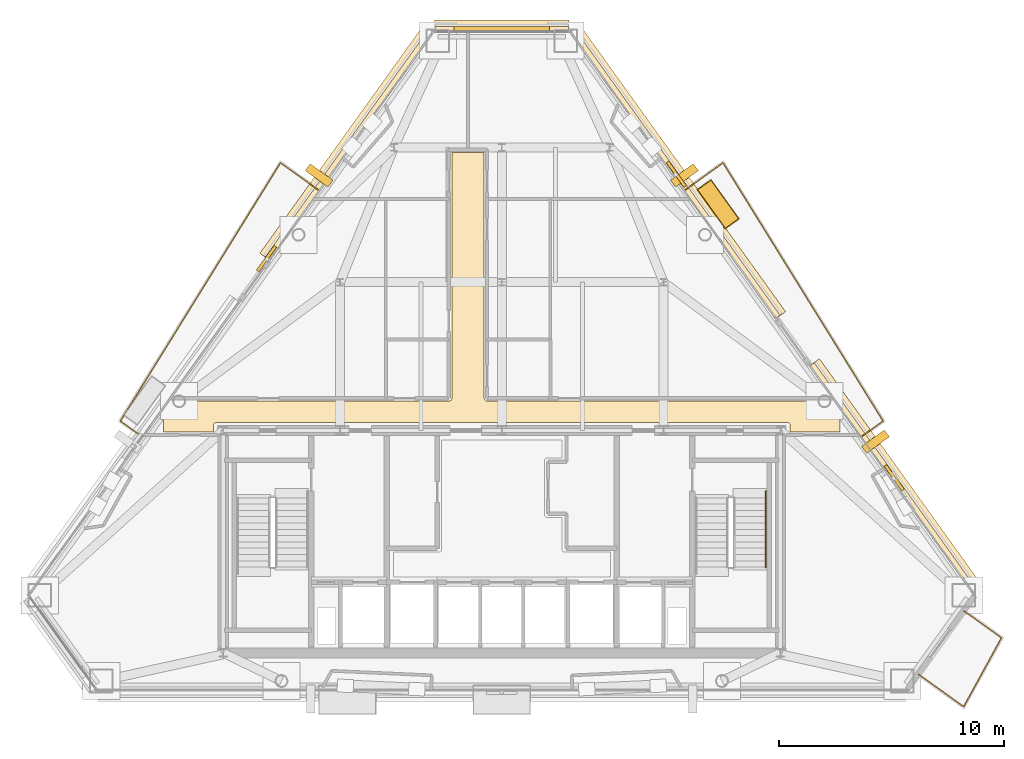
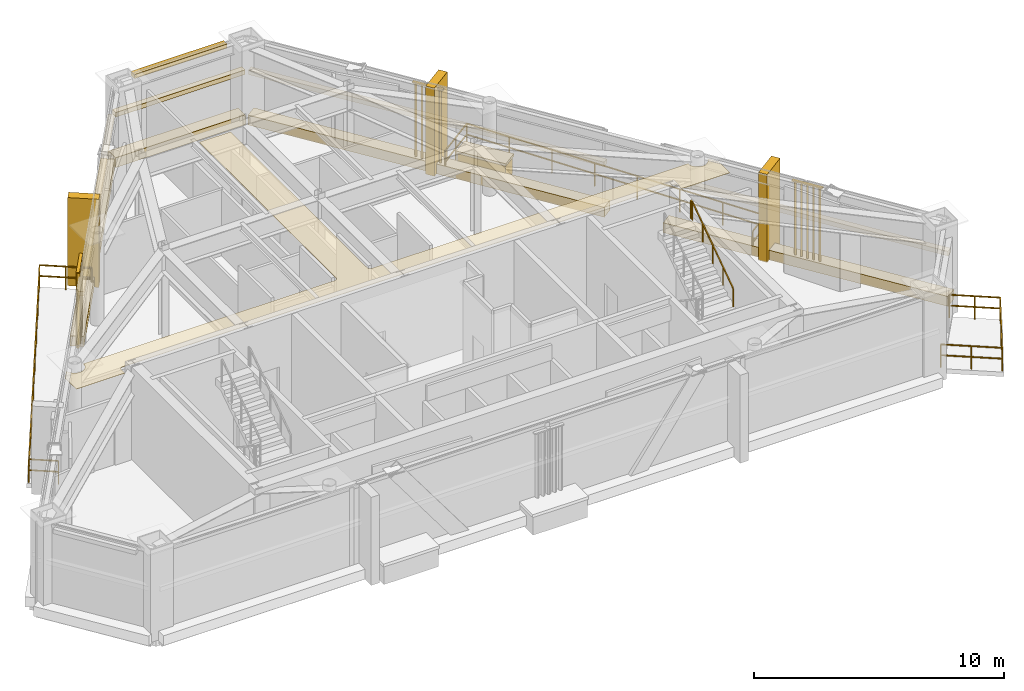
# One storey, part 11 of 11: 14 coverings, 4 railings, 4 shading devices.
"""IFC4 building model written with IfcOpenShell, lengths in metres."""

from ifc_helpers import new_model, si_unit, direction, frame, origin, origin_2d, place, context, subcontext, project, spatial, polyline, rectangle, outline, extrude, source, transform, mapped, material, layer, layer_set, type_object, type_shapes, element, save


model = new_model("IFC4")

# Units and contexts
model_context = context("Model", 3, precision=1e-05, world=origin(), true_north=direction((0.0, 1.0)))
body_context = subcontext(model_context, "Body", "Model", "MODEL_VIEW")
ifc_project = project(units=[si_unit("LENGTHUNIT", "METRE"), si_unit("AREAUNIT", "SQUARE_METRE"), si_unit("VOLUMEUNIT", "CUBIC_METRE"), si_unit("PLANEANGLEUNIT", "RADIAN"), si_unit("MASSUNIT", "GRAM", prefix="KILO")], contexts=[model_context])

# Site, building, storey
site_placement = place(None, origin())
site = spatial("IfcSite", under=ifc_project, at=site_placement, CompositionType="ELEMENT")
building_placement = place(site_placement, origin())
building = spatial("IfcBuilding", under=site, at=building_placement, Name="Talgorran Terracotta Tower", CompositionType="ELEMENT")
storey_placement = place(building_placement, frame((0.0, 0.0, 228.89990234375)))
storey = spatial("IfcBuildingStorey", under=building, at=storey_placement, Name="L60", CompositionType="ELEMENT", Elevation=228.89990234375)

# Coverings
ifc_material_1 = material(Name="Kiln-Fired Terracotta Ochre Ceramic", Category="masonry")
ifc_layer_1 = layer(ifc_material_1, 0.179931640625, Name="COV_BAGUETTE_TERRACOTTA_SCREEN")
ifc_layer_set_1 = layer_set([ifc_layer_1], Name="Kiln-Fired Terracotta Ochre Ceramic")
covering_type_1 = type_object("IfcCoveringType", Name="COV_BAGUETTE_TERRACOTTA_SCREEN", PredefinedType="CLADDING", material=ifc_layer_set_1)
covering_1_placement = place(storey_placement, frame((17.439453125, -6.3251953125, 2.41015625), z_axis=(0.0, 0.0, 1.0), x_axis=(-0.583115925445, 0.812388957023, 0.0)))
element("IfcCovering", 1, at=covering_1_placement, inside=storey, type_object=covering_type_1, Name="L60 Terracotta Baguette Solar Screen Assembly F40", PredefinedType="CLADDING", context=body_context, shape_type="SweptSolid", body=[
    extrude(rectangle(XDim=12.473388671875, YDim=0.260009765625, at=origin_2d()), origin(), (0.0, 0.0, 1.0), 0.219970703125),
])
covering_2_placement = place(storey_placement, frame((7.740234375, 7.187744140625, 2.41015625), z_axis=(0.0, 0.0, 1.0), x_axis=(-0.583115925445, 0.812388957023, 0.0)))
element("IfcCovering", 2, at=covering_2_placement, inside=storey, type_object=covering_type_1, Name="L60 Terracotta Baguette Solar Screen Assembly F41", PredefinedType="CLADDING", context=body_context, shape_type="SweptSolid", body=[
    extrude(rectangle(XDim=15.593994140625, YDim=0.260009765625, at=origin_2d()), origin(), (0.0, 0.0, 1.0), 0.219970703125),
])
covering_3_placement = place(storey_placement, frame((0.0, 13.653076171875, 2.41015625), z_axis=(0.0, 0.0, 1.0), x_axis=(-1.0, 0.0, 0.0)))
element("IfcCovering", 3, at=covering_3_placement, inside=storey, type_object=covering_type_1, Name="L60 Terracotta Baguette Solar Screen Assembly F4", PredefinedType="CLADDING", context=body_context, shape_type="SweptSolid", body=[
    extrude(rectangle(XDim=5.95654296875, YDim=0.260009765625, at=origin_2d()), origin(), (0.0, 0.0, 1.0), 0.219970703125),
])
covering_4_placement = place(storey_placement, frame((-6.808837890625, 8.485107421875, 2.41015625), z_axis=(0.0, 0.0, 1.0), x_axis=(-0.583115925445, -0.812388957023, 0.0)))
element("IfcCovering", 4, at=covering_4_placement, inside=storey, type_object=covering_type_1, Name="L60 Terracotta Baguette Solar Screen Assembly F60", PredefinedType="CLADDING", context=body_context, shape_type="SweptSolid", body=[
    extrude(rectangle(XDim=12.39990234375, YDim=0.260009765625, at=origin_2d()), origin(), (0.0, 0.0, 1.0), 0.219970703125),
])
ifc_material_2 = material(Name="Mineral Fibre Acoustic Tile")
ifc_layer_2 = layer(ifc_material_2, 0.02490234375, Name="COV_CEIL_ACOUSTIC")
ifc_layer_set_2 = layer_set([ifc_layer_2], Name="Mineral Fibre Acoustic Tile")
covering_type_2 = type_object("IfcCoveringType", Name="COV_CEIL_ACOUSTIC", PredefinedType="CEILING", material=ifc_layer_set_2)
covering_5_placement = place(storey_placement, frame((0.0, 0.0, 4.155029296875)))
element("IfcCovering", 5, at=covering_5_placement, inside=storey, type_object=covering_type_2, Name="CEIL-L60-2", PredefinedType="CEILING", context=body_context, shape_type="SweptSolid", body=[
    extrude(outline(polyline([(-14.77685546875, -2.96728515625), (-14.762939453125, -3.037353515625), (-14.760009765625, -3.048583984375), (-14.756103515625, -3.059814453125), (-14.7509765625, -3.0703125), (-14.7451171875, -3.08056640625), (-14.678955078125, -3.179443359375), (-14.671875, -3.18896484375), (-14.6640625, -3.19775390625), (-14.6552734375, -3.205810546875), (-14.645751953125, -3.212646484375), (-14.546630859375, -3.27880859375), (-14.53662109375, -3.284912109375), (-14.52587890625, -3.289794921875), (-14.514892578125, -3.293701171875), (-14.50341796875, -3.296630859375), (-14.38671875, -3.31982421875), (-14.375244140625, -3.321533203125), (-14.36328125, -3.322265625), (-14.3515625, -3.321533203125), (-14.340087890625, -3.31982421875), (-14.223388671875, -3.296630859375), (-14.2119140625, -3.293701171875), (-14.20068359375, -3.289794921875), (-14.190185546875, -3.284912109375), (-14.18017578125, -3.27880859375), (-14.0810546875, -3.212646484375), (-14.071533203125, -3.205810546875), (-14.062744140625, -3.19775390625), (-14.054931640625, -3.18896484375), (-14.0478515625, -3.179443359375), (-13.981689453125, -3.08056640625), (-13.975830078125, -3.0703125), (-13.970703125, -3.059814453125), (-13.966796875, -3.048583984375), (-13.9638671875, -3.037353515625), (-13.940673828125, -2.920654296875), (-13.93896484375, -2.908935546875), (-13.9384765625, -2.897216796875), (-13.93896484375, -2.885498046875), (-13.93896484375, -2.885009765625), (-2.35009765625, -2.885009765625), (-2.33837890625, -2.884521484375), (-2.32666015625, -2.8828125), (-2.3154296875, -2.8798828125), (-2.30712890625, -2.87744140625), (-2.2958984375, -2.87353515625), (-2.285400390625, -2.868408203125), (-2.275146484375, -2.8623046875), (-2.265625, -2.85546875), (-2.257080078125, -2.847412109375), (-2.2490234375, -2.8388671875), (-2.243408203125, -2.83203125), (-2.236328125, -2.822509765625), (-2.230224609375, -2.8125), (-2.225341796875, -2.8017578125), (-2.22119140625, -2.79052734375), (-2.218505859375, -2.779296875), (-2.216796875, -2.767578125), (-2.216064453125, -2.755615234375), (-2.215087890625, 8.1650390625), (-0.784912109375, 8.1650390625), (-0.784912109375, -2.75), (-0.784423828125, -2.76171875), (-0.78271484375, -2.773193359375), (-0.77978515625, -2.78466796875), (-0.77734375, -2.79296875), (-0.7734375, -2.803955078125), (-0.768310546875, -2.814697265625), (-0.762451171875, -2.82470703125), (-0.75537109375, -2.834228515625), (-0.74755859375, -2.843017578125), (-0.73876953125, -2.850830078125), (-0.73193359375, -2.8564453125), (-0.722412109375, -2.863525390625), (-0.71240234375, -2.86962890625), (-0.70166015625, -2.874755859375), (-0.690673828125, -2.878662109375), (-0.67919921875, -2.881591796875), (-0.66748046875, -2.88330078125), (-0.65576171875, -2.8837890625), (13.93896484375, -2.885009765625), (13.93896484375, -2.885498046875), (13.9384765625, -2.897216796875), (13.93896484375, -2.908935546875), (13.940673828125, -2.920654296875), (13.9638671875, -3.037353515625), (13.966796875, -3.048583984375), (13.970703125, -3.059814453125), (13.975830078125, -3.0703125), (13.981689453125, -3.08056640625), (14.0478515625, -3.179443359375), (14.054931640625, -3.18896484375), (14.062744140625, -3.19775390625), (14.071533203125, -3.205810546875), (14.0810546875, -3.212646484375), (14.18017578125, -3.27880859375), (14.190185546875, -3.284912109375), (14.20068359375, -3.289794921875), (14.2119140625, -3.293701171875), (14.223388671875, -3.296630859375), (14.340087890625, -3.31982421875), (14.3515625, -3.321533203125), (14.36328125, -3.322265625), (14.375244140625, -3.321533203125), (14.38671875, -3.31982421875), (14.50341796875, -3.296630859375), (14.514892578125, -3.293701171875), (14.52587890625, -3.289794921875), (14.53662109375, -3.284912109375), (14.546630859375, -3.27880859375), (14.645751953125, -3.212646484375), (14.6552734375, -3.205810546875), (14.6640625, -3.19775390625), (14.671875, -3.18896484375), (14.678955078125, -3.179443359375), (14.7451171875, -3.08056640625), (14.7509765625, -3.0703125), (14.756103515625, -3.059814453125), (14.760009765625, -3.048583984375), (14.762939453125, -3.037353515625), (14.77685546875, -2.96728515625), (15.06494140625, -3.36865234375), (15.06494140625, -4.264892578125), (12.8349609375, -4.264892578125), (12.8349609375, -3.97998046875), (12.83447265625, -3.96826171875), (12.832763671875, -3.956787109375), (12.829833984375, -3.9453125), (12.827392578125, -3.93701171875), (12.823486328125, -3.926025390625), (12.818359375, -3.915283203125), (12.8125, -3.9052734375), (12.805419921875, -3.895751953125), (12.797607421875, -3.886962890625), (12.788818359375, -3.879150390625), (12.781982421875, -3.87353515625), (12.7724609375, -3.866455078125), (12.762451171875, -3.8603515625), (12.751708984375, -3.855224609375), (12.740478515625, -3.851318359375), (12.729248046875, -3.848388671875), (12.717529296875, -3.8466796875), (12.705810546875, -3.84619140625), (7.432861328125, -3.844970703125), (6.968017578125, -3.843017578125), (6.967529296875, -3.843017578125), (0.232666015625, -3.844970703125), (-0.23193359375, -3.843017578125), (-0.232421875, -3.843017578125), (-6.96728515625, -3.844970703125), (-7.431884765625, -3.843017578125), (-7.4326171875, -3.843017578125), (-12.699951171875, -3.844970703125), (-12.711669921875, -3.845703125), (-12.723388671875, -3.847412109375), (-12.734619140625, -3.85009765625), (-12.742919921875, -3.8525390625), (-12.75390625, -3.8564453125), (-12.7646484375, -3.861572265625), (-12.77490234375, -3.86767578125), (-12.7841796875, -3.87451171875), (-12.79296875, -3.882568359375), (-12.80078125, -3.89111328125), (-12.806396484375, -3.89794921875), (-12.813720703125, -3.907470703125), (-12.819580078125, -3.91748046875), (-12.82470703125, -3.927978515625), (-12.82861328125, -3.939208984375), (-12.83154296875, -3.95068359375), (-12.833251953125, -3.962158203125), (-12.833984375, -3.97412109375), (-12.834716796875, -4.264892578125), (-15.06494140625, -4.264892578125), (-15.06494140625, -3.36865234375), (-14.77685546875, -2.96728515625)])), origin(), (0.0, 0.0, 1.0), 0.02001953125),
])
ifc_material_3 = material(Name="Honed Limestone and Terracotta Planter", Category="masonry")
ifc_layer_3 = layer(ifc_material_3, 0.1201171875, Name="COV_PLANTER_BOX")
ifc_layer_set_3 = layer_set([ifc_layer_3], Name="Honed Limestone and Terracotta Planter")
covering_type_3 = type_object("IfcCoveringType", Name="COV_PLANTER_BOX", PredefinedType="CLADDING", material=ifc_layer_set_3)
covering_6_placement = place(storey_placement, frame((9.6318359375, 5.872802734375, -0.02001953125), z_axis=(0.0, 0.0, 1.0), x_axis=(-0.583115925445, 0.812388957023, 0.0)))
element("IfcCovering", 6, at=covering_6_placement, inside=storey, type_object=covering_type_3, Name="L60 Staggered Balcony Planter Box BAL-NE", PredefinedType="CLADDING", context=body_context, shape_type="SweptSolid", body=[
    extrude(rectangle(XDim=2.10009765625, YDim=0.719970703125, at=origin_2d()), origin(), (0.0, 0.0, 1.0), 0.860107421875),
])
ifc_material_4 = material(Name="Kiln-Fired Terracotta Planter Rim", Category="masonry")
ifc_layer_4 = layer(ifc_material_4, 0.10009765625, Name="COV_PLANTER_RIM")
ifc_layer_set_4 = layer_set([ifc_layer_4], Name="Kiln-Fired Terracotta Planter Rim")
covering_type_4 = type_object("IfcCoveringType", Name="COV_PLANTER_RIM", PredefinedType="CLADDING", material=ifc_layer_set_4)
covering_7_placement = place(storey_placement, frame((9.6318359375, 5.872802734375, 0.800048828125), z_axis=(0.0, 0.0, 1.0), x_axis=(-0.583115925445, 0.812388957023, 0.0)))
element("IfcCovering", 7, at=covering_7_placement, inside=storey, type_object=covering_type_4, Name="L60 Balcony Planter Terracotta Rim BAL-NE", PredefinedType="CLADDING", context=body_context, shape_type="SweptSolid", body=[
    extrude(rectangle(XDim=2.179931640625, YDim=0.780029296875, at=origin_2d()), origin(), (0.0, 0.0, 1.0), 0.1201171875),
])
ifc_material_5 = material(Name="Honed Limestone Cladding", Category="masonry")
ifc_layer_5 = layer(ifc_material_5, 0.094970703125, Name="COV_PORTAL_LIME")
ifc_layer_set_5 = layer_set([ifc_layer_5], Name="Honed Limestone Cladding")
covering_type_5 = type_object("IfcCoveringType", Name="COV_PORTAL_LIME", PredefinedType="CLADDING", material=ifc_layer_set_5)
covering_8_placement = place(storey_placement, frame((17.55322265625, -6.24365234375, -0.039794921875), z_axis=(0.0, 0.0, 1.0), x_axis=(-0.583115925445, 0.812388957023, 0.0)))
element("IfcCovering", 8, at=covering_8_placement, inside=storey, type_object=covering_type_5, Name="L60 Striped Postmodern Portal Cladding Band F40", PredefinedType="CLADDING", context=body_context, shape_type="SweptSolid", body=[
    extrude(rectangle(XDim=12.493408203125, YDim=0.56005859375, at=origin_2d()), origin(), (0.0, 0.0, 1.0), 0.47998046875),
])
covering_9_placement = place(storey_placement, frame((7.85400390625, 7.269287109375, -0.039794921875), z_axis=(0.0, 0.0, 1.0), x_axis=(-0.583115925445, 0.812388957023, 0.0)))
element("IfcCovering", 9, at=covering_9_placement, inside=storey, type_object=covering_type_5, Name="L60 Striped Postmodern Portal Cladding Band F41", PredefinedType="CLADDING", context=body_context, shape_type="SweptSolid", body=[
    extrude(rectangle(XDim=15.614013671875, YDim=0.56005859375, at=origin_2d()), origin(), (0.0, 0.0, 1.0), 0.47998046875),
])
covering_10_placement = place(storey_placement, frame((0.0, 13.79296875, -0.039794921875), z_axis=(0.0, 0.0, 1.0), x_axis=(-1.0, 0.0, 0.0)))
element("IfcCovering", 10, at=covering_10_placement, inside=storey, type_object=covering_type_5, Name="L60 Striped Postmodern Portal Cladding Band F4", PredefinedType="CLADDING", context=body_context, shape_type="SweptSolid", body=[
    extrude(rectangle(XDim=5.9765625, YDim=0.56005859375, at=origin_2d()), origin(), (0.0, 0.0, 1.0), 0.47998046875),
])
covering_11_placement = place(storey_placement, frame((-6.922607421875, 8.56689453125, -0.039794921875), z_axis=(0.0, 0.0, 1.0), x_axis=(-0.583115925445, -0.812388957023, 0.0)))
element("IfcCovering", 11, at=covering_11_placement, inside=storey, type_object=covering_type_5, Name="L60 Striped Postmodern Portal Cladding Band F60", PredefinedType="CLADDING", context=body_context, shape_type="SweptSolid", body=[
    extrude(rectangle(XDim=12.419921875, YDim=0.56005859375, at=origin_2d()), origin(), (0.0, 0.0, 1.0), 0.47998046875),
])
covering_12_placement = place(storey_placement, frame((8.133056640625, 7.15478515625, -0.0498046875), z_axis=(0.0, 0.0, 1.0), x_axis=(-0.583115925445, 0.812388957023, 0.0)))
element("IfcCovering", 12, at=covering_12_placement, inside=storey, type_object=covering_type_5, Name="L60 White Striped Portal Fin F3-2", PredefinedType="CLADDING", context=body_context, shape_type="SweptSolid", body=[
    extrude(rectangle(XDim=0.3798828125, YDim=1.25, at=origin_2d()), origin(), (0.0, 0.0, 1.0), 4.294921875),
])
ifc_material_6 = material(Name="Kiln-Fired Terracotta Cladding", Category="masonry")
ifc_layer_6 = layer(ifc_material_6, 0.090087890625, Name="COV_PORTAL_TERRA")
ifc_layer_set_6 = layer_set([ifc_layer_6], Name="Kiln-Fired Terracotta Cladding")
covering_type_6 = type_object("IfcCoveringType", Name="COV_PORTAL_TERRA", PredefinedType="CLADDING", material=ifc_layer_set_6)
for number, where, z_axis, x_axis, name in (
    (13, (16.638671875, -4.695068359375, -0.0498046875), (0.0, 0.0, 1.0), (-0.583115925445, 0.812388957023, 0.0), "L60 Terracotta Striped Portal Fin F3-1"),
    (14, (-8.133056640625, 7.15478515625, -0.0498046875), (0.0, 0.0, 1.0), (-0.583115925445, -0.812388957023, 0.0), "L60 Terracotta Striped Portal Fin F5-1"),
):
    element("IfcCovering", number, at=place(storey_placement, frame(where, z_axis=z_axis, x_axis=x_axis)), inside=storey, type_object=covering_type_6, Name=name, PredefinedType="CLADDING", context=body_context, shape_type="SweptSolid", body=[
        extrude(rectangle(XDim=0.3798828125, YDim=1.25, at=origin_2d()), origin(), (0.0, 0.0, 1.0), 4.294921875),
    ])

# Railings
ifc_material_7 = material(Name="Laminated Glass and Stainless Steel 316", Category="steel")
railing_type_1 = type_object("IfcRailingType", Name="RL_BALCONY_1150", PredefinedType="BALUSTRADE", material=ifc_material_7)
railing_1_placement = place(storey_placement, frame((16.01171875, -4.473388671875, 0.0)))
element("IfcRailing", 15, at=railing_1_placement, inside=storey, type_object=railing_type_1, Name="RL-L60-BAL-BAL-NE", PredefinedType="BALUSTRADE", context=body_context, shape_type="SweptSolid", body=[
    extrude(rectangle(XDim=0.048095703125, YDim=0.048095703125, at=origin_2d()), frame((0.0, 0.0, 1.1259765625), z_axis=(0.812383674237, 0.583123285278, 0.0), x_axis=(-0.583123285278, 0.812383674237, 0.0)), (0.0, 0.0, 1.0), 1.187255859375),
    extrude(rectangle(XDim=0.048095703125, YDim=0.048095703125, at=origin_2d()), frame((0.0, 0.0, 0.597900390625), z_axis=(0.812383674237, 0.583123285278, 0.0), x_axis=(-0.583123285278, 0.812383674237, 0.0)), (0.0, 0.0, 1.0), 1.187255859375),
    extrude(rectangle(XDim=0.048095703125, YDim=0.048095703125, at=origin_2d()), frame((0.964599609375, 0.6923828125, 1.1259765625), z_axis=(-0.52680068176, 0.849988847984, 0.0), x_axis=(-0.849988847984, -0.52680068176, 0.0)), (0.0, 0.0, 1.0), 13.5263671875),
    extrude(rectangle(XDim=0.048095703125, YDim=0.048095703125, at=origin_2d()), frame((0.964599609375, 0.6923828125, 0.597900390625), z_axis=(-0.52680068176, 0.849988847984, 0.0), x_axis=(-0.849988847984, -0.52680068176, 0.0)), (0.0, 0.0, 1.0), 13.5263671875),
    extrude(rectangle(XDim=0.048095703125, YDim=0.048095703125, at=origin_2d()), frame((-6.1611328125, 12.189697265625, 1.1259765625), z_axis=(-0.812405529893, -0.583092835661, 0.0), x_axis=(0.583092835661, -0.812405529893, 0.0)), (0.0, 0.0, 1.0), 2.102783203125),
    extrude(rectangle(XDim=0.048095703125, YDim=0.048095703125, at=origin_2d()), frame((-6.1611328125, 12.189697265625, 0.597900390625), z_axis=(-0.812405529893, -0.583092835661, 0.0), x_axis=(0.583092835661, -0.812405529893, 0.0)), (0.0, 0.0, 1.0), 2.102783203125),
    extrude(rectangle(XDim=0.0419921875, YDim=0.0419921875, at=origin_2d()), origin(), (0.0, 0.0, 1.0), 1.101806640625),
    extrude(rectangle(XDim=0.0419921875, YDim=0.0419921875, at=origin_2d()), frame((0.964599609375, 0.6923828125, 0.0)), (0.0, 0.0, 1.0), 1.101806640625),
    extrude(rectangle(XDim=0.0419921875, YDim=0.0419921875, at=origin_2d()), frame((-0.053466796875, 2.3349609375, 0.0)), (0.0, 0.0, 1.0), 1.101806640625),
    extrude(rectangle(XDim=0.0419921875, YDim=0.0419921875, at=origin_2d()), frame((-1.0712890625, 3.977294921875, 0.0)), (0.0, 0.0, 1.0), 1.101806640625),
    extrude(rectangle(XDim=0.0419921875, YDim=0.0419921875, at=origin_2d()), frame((-2.08935546875, 5.619873046875, 0.0)), (0.0, 0.0, 1.0), 1.101806640625),
    extrude(rectangle(XDim=0.0419921875, YDim=0.0419921875, at=origin_2d()), frame((-3.107177734375, 7.26220703125, 0.0)), (0.0, 0.0, 1.0), 1.101806640625),
    extrude(rectangle(XDim=0.0419921875, YDim=0.0419921875, at=origin_2d()), frame((-4.125244140625, 8.90478515625, 0.0)), (0.0, 0.0, 1.0), 1.101806640625),
    extrude(rectangle(XDim=0.0419921875, YDim=0.0419921875, at=origin_2d()), frame((-5.14306640625, 10.547119140625, 0.0)), (0.0, 0.0, 1.0), 1.101806640625),
    extrude(rectangle(XDim=0.0419921875, YDim=0.0419921875, at=origin_2d()), frame((-6.1611328125, 12.189697265625, 0.0)), (0.0, 0.0, 1.0), 1.101806640625),
    extrude(rectangle(XDim=0.0419921875, YDim=0.0419921875, at=origin_2d()), frame((-7.01513671875, 11.57666015625, 0.0)), (0.0, 0.0, 1.0), 1.101806640625),
    extrude(rectangle(XDim=0.0419921875, YDim=0.0419921875, at=origin_2d()), frame((-7.869384765625, 10.963623046875, 0.0)), (0.0, 0.0, 1.0), 1.101806640625),
])
railing_2_placement = place(storey_placement, frame((-8.142333984375, 6.490234375, 0.0)))
element("IfcRailing", 16, at=railing_2_placement, inside=storey, type_object=railing_type_1, Name="RL-L60-BAL-BAL-NW", PredefinedType="BALUSTRADE", context=body_context, shape_type="SweptSolid", body=[
    extrude(rectangle(XDim=0.048095703125, YDim=0.048095703125, at=origin_2d()), frame((0.0, 0.0, 1.1259765625), z_axis=(-0.812405529893, 0.583092835661, 0.0), x_axis=(-0.583092835661, -0.812405529893, 0.0)), (0.0, 0.0, 1.0), 2.102783203125),
    extrude(rectangle(XDim=0.048095703125, YDim=0.048095703125, at=origin_2d()), frame((0.0, 0.0, 0.597900390625), z_axis=(-0.812405529893, 0.583092835661, 0.0), x_axis=(-0.583092835661, -0.812405529893, 0.0)), (0.0, 0.0, 1.0), 2.102783203125),
    extrude(rectangle(XDim=0.048095703125, YDim=0.048095703125, at=origin_2d()), frame((-1.708251953125, 1.22607421875, 1.1259765625), z_axis=(-0.52680068176, -0.849988847984, 0.0), x_axis=(0.849988847984, -0.52680068176, 0.0)), (0.0, 0.0, 1.0), 13.5263671875),
    extrude(rectangle(XDim=0.048095703125, YDim=0.048095703125, at=origin_2d()), frame((-1.708251953125, 1.22607421875, 0.597900390625), z_axis=(-0.52680068176, -0.849988847984, 0.0), x_axis=(0.849988847984, -0.52680068176, 0.0)), (0.0, 0.0, 1.0), 13.5263671875),
    extrude(rectangle(XDim=0.048095703125, YDim=0.048095703125, at=origin_2d()), frame((-8.833984375, -10.271240234375, 1.1259765625), z_axis=(0.812383674237, -0.583123285278, 0.0), x_axis=(0.583123285278, 0.812383674237, 0.0)), (0.0, 0.0, 1.0), 1.187255859375),
    extrude(rectangle(XDim=0.048095703125, YDim=0.048095703125, at=origin_2d()), frame((-8.833984375, -10.271240234375, 0.597900390625), z_axis=(0.812383674237, -0.583123285278, 0.0), x_axis=(0.583123285278, 0.812383674237, 0.0)), (0.0, 0.0, 1.0), 1.187255859375),
    extrude(rectangle(XDim=0.0419921875, YDim=0.0419921875, at=origin_2d()), origin(), (0.0, 0.0, 1.0), 1.101806640625),
    extrude(rectangle(XDim=0.0419921875, YDim=0.0419921875, at=origin_2d()), frame((-0.85400390625, 0.613037109375, 0.0)), (0.0, 0.0, 1.0), 1.101806640625),
    extrude(rectangle(XDim=0.0419921875, YDim=0.0419921875, at=origin_2d()), frame((-1.708251953125, 1.22607421875, 0.0)), (0.0, 0.0, 1.0), 1.101806640625),
    extrude(rectangle(XDim=0.0419921875, YDim=0.0419921875, at=origin_2d()), frame((-2.726318359375, -0.41650390625, 0.0)), (0.0, 0.0, 1.0), 1.101806640625),
    extrude(rectangle(XDim=0.0419921875, YDim=0.0419921875, at=origin_2d()), frame((-3.744140625, -2.058837890625, 0.0)), (0.0, 0.0, 1.0), 1.101806640625),
    extrude(rectangle(XDim=0.0419921875, YDim=0.0419921875, at=origin_2d()), frame((-4.76220703125, -3.701416015625, 0.0)), (0.0, 0.0, 1.0), 1.101806640625),
    extrude(rectangle(XDim=0.0419921875, YDim=0.0419921875, at=origin_2d()), frame((-5.780029296875, -5.34375, 0.0)), (0.0, 0.0, 1.0), 1.101806640625),
    extrude(rectangle(XDim=0.0419921875, YDim=0.0419921875, at=origin_2d()), frame((-6.798095703125, -6.986328125, 0.0)), (0.0, 0.0, 1.0), 1.101806640625),
    extrude(rectangle(XDim=0.0419921875, YDim=0.0419921875, at=origin_2d()), frame((-7.81591796875, -8.628662109375, 0.0)), (0.0, 0.0, 1.0), 1.101806640625),
    extrude(rectangle(XDim=0.0419921875, YDim=0.0419921875, at=origin_2d()), frame((-8.833984375, -10.271240234375, 0.0)), (0.0, 0.0, 1.0), 1.101806640625),
    extrude(rectangle(XDim=0.0419921875, YDim=0.0419921875, at=origin_2d()), frame((-7.869384765625, -10.963623046875, 0.0)), (0.0, 0.0, 1.0), 1.101806640625),
])
railing_3_placement = place(storey_placement, frame((18.55810546875, -15.058349609375, 0.0)))
element("IfcRailing", 17, at=railing_3_placement, inside=storey, type_object=railing_type_1, Name="RL-L60-BAL-BAL-SE", PredefinedType="BALUSTRADE", context=body_context, shape_type="SweptSolid", body=[
    extrude(rectangle(XDim=0.048095703125, YDim=0.048095703125, at=origin_2d()), frame((0.0, 0.0, 1.1259765625), z_axis=(0.812388581765, -0.583116448248, 0.0), x_axis=(0.583116448248, 0.812388581765, 0.0)), (0.0, 0.0, 1.0), 2.469482421875),
    extrude(rectangle(XDim=0.048095703125, YDim=0.048095703125, at=origin_2d()), frame((0.0, 0.0, 0.597900390625), z_axis=(0.812388581765, -0.583116448248, 0.0), x_axis=(0.583116448248, 0.812388581765, 0.0)), (0.0, 0.0, 1.0), 2.469482421875),
    extrude(rectangle(XDim=0.048095703125, YDim=0.048095703125, at=origin_2d()), frame((2.006103515625, -1.43994140625, 1.1259765625), z_axis=(0.48072358114, 0.876872190536, 0.0), x_axis=(-0.876872190536, 0.48072358114, 0.0)), (0.0, 0.0, 1.0), 3.49853515625),
    extrude(rectangle(XDim=0.048095703125, YDim=0.048095703125, at=origin_2d()), frame((2.006103515625, -1.43994140625, 0.597900390625), z_axis=(0.48072358114, 0.876872190536, 0.0), x_axis=(-0.876872190536, 0.48072358114, 0.0)), (0.0, 0.0, 1.0), 3.49853515625),
    extrude(rectangle(XDim=0.048095703125, YDim=0.048095703125, at=origin_2d()), frame((3.68798828125, 1.6279296875, 1.1259765625), z_axis=(-0.812377338918, 0.583132111286, 0.0), x_axis=(-0.583132111286, -0.812377338918, 0.0)), (0.0, 0.0, 1.0), 2.046875),
    extrude(rectangle(XDim=0.048095703125, YDim=0.048095703125, at=origin_2d()), frame((3.68798828125, 1.6279296875, 0.597900390625), z_axis=(-0.812377338918, 0.583132111286, 0.0), x_axis=(-0.583132111286, -0.812377338918, 0.0)), (0.0, 0.0, 1.0), 2.046875),
    extrude(rectangle(XDim=0.0419921875, YDim=0.0419921875, at=origin_2d()), origin(), (0.0, 0.0, 1.0), 1.101806640625),
    extrude(rectangle(XDim=0.0419921875, YDim=0.0419921875, at=origin_2d()), frame((1.0029296875, -0.719970703125, 0.0)), (0.0, 0.0, 1.0), 1.101806640625),
    extrude(rectangle(XDim=0.0419921875, YDim=0.0419921875, at=origin_2d()), frame((2.006103515625, -1.43994140625, 0.0)), (0.0, 0.0, 1.0), 1.101806640625),
    extrude(rectangle(XDim=0.0419921875, YDim=0.0419921875, at=origin_2d()), frame((2.84716796875, 0.093994140625, 0.0)), (0.0, 0.0, 1.0), 1.101806640625),
    extrude(rectangle(XDim=0.0419921875, YDim=0.0419921875, at=origin_2d()), frame((3.68798828125, 1.6279296875, 0.0)), (0.0, 0.0, 1.0), 1.101806640625),
    extrude(rectangle(XDim=0.0419921875, YDim=0.0419921875, at=origin_2d()), frame((2.8564453125, 2.224609375, 0.0)), (0.0, 0.0, 1.0), 1.101806640625),
    extrude(rectangle(XDim=0.0419921875, YDim=0.0419921875, at=origin_2d()), frame((2.025146484375, 2.821533203125, 0.0)), (0.0, 0.0, 1.0), 1.101806640625),
])
ifc_material_8 = material(Name="Steel S355 (300PLUS)", Category="steel")
railing_type_2 = type_object("IfcRailingType", Name="RL_HANDRAIL_920", PredefinedType="HANDRAIL", material=ifc_material_8)
railing_4_placement = place(storey_placement, frame((11.75, -10.280029296875, 2.4375)))
element("IfcRailing", 18, at=railing_4_placement, inside=storey, type_object=railing_type_2, Name="L60 ST-02 stair handrail 2", PredefinedType="HANDRAIL", context=body_context, shape_type="SweptSolid", body=[
    extrude(rectangle(XDim=0.048095703125, YDim=0.048095703125, at=origin_2d()), frame((0.0, 0.0, 0.89599609375), z_axis=(0.0, 0.82301009837, 0.568026740551), x_axis=(-1.0, 0.0, 0.0)), (0.0, 0.0, 1.0), 3.961181640625),
    extrude(rectangle(XDim=0.048095703125, YDim=0.048095703125, at=origin_2d()), frame((0.0, 3.260009765625, 3.14599609375), z_axis=(0.0, 1.0, 0.0), x_axis=(-1.0, 0.0, 0.0)), (0.0, 0.0, 1.0), 0.1201171875),
    extrude(rectangle(XDim=0.0419921875, YDim=0.0419921875, at=origin_2d()), origin(), (0.0, 0.0, 1.0), 0.871826171875),
    extrude(rectangle(XDim=0.0419921875, YDim=0.0419921875, at=origin_2d()), frame((0.0, 0.81494140625, 0.5625)), (0.0, 0.0, 1.0), 0.871826171875),
    extrude(rectangle(XDim=0.0419921875, YDim=0.0419921875, at=origin_2d()), frame((0.0, 1.6298828125, 1.125)), (0.0, 0.0, 1.0), 0.871826171875),
    extrude(rectangle(XDim=0.0419921875, YDim=0.0419921875, at=origin_2d()), frame((0.0, 2.445068359375, 1.6875)), (0.0, 0.0, 1.0), 0.871826171875),
    extrude(rectangle(XDim=0.0419921875, YDim=0.0419921875, at=origin_2d()), frame((0.0, 3.260009765625, 2.25)), (0.0, 0.0, 1.0), 0.871826171875),
    extrude(rectangle(XDim=0.0419921875, YDim=0.0419921875, at=origin_2d()), frame((0.0, 3.380126953125, 2.25)), (0.0, 0.0, 1.0), 0.871826171875),
])

# Shading devices
ifc_material_9 = material(Name="Kiln-Fired Terracotta", Category="masonry")
ifc_layer_7 = layer(ifc_material_9, 0.139892578125, Name="SHD_BAGUETTE_TERRA")
ifc_layer_set_7 = layer_set([ifc_layer_7], Name="Kiln-Fired Terracotta")
shading_device_type_1 = type_object("IfcShadingDeviceType", Name="SHD_BAGUETTE_TERRA", PredefinedType="JALOUSIE", material=ifc_layer_set_7)
shared_shape_1 = source(origin(), body_context, "Body", "SweptSolid", [
    extrude(rectangle(XDim=1.35009765625, YDim=0.139892578125, at=origin_2d()), origin(), (0.0, 0.0, 1.0), 0.054931640625),
    extrude(rectangle(XDim=1.35009765625, YDim=0.139892578125, at=origin_2d()), frame((0.0, 0.0, 3.64013671875)), (0.0, 0.0, 1.0), 0.054931640625),
    extrude(rectangle(XDim=0.074951171875, YDim=0.139892578125, at=origin_2d()), frame((-0.53515625, 0.0, 0.054931640625), z_axis=(0.0, 0.0, 1.0), x_axis=(0.866025403784, 0.5, 0.0)), (0.0, 0.0, 1.0), 3.585205078125),
    extrude(rectangle(XDim=0.074951171875, YDim=0.139892578125, at=origin_2d()), frame((-0.267578125, 0.0, 0.054931640625), z_axis=(0.0, 0.0, 1.0), x_axis=(0.866025403784, 0.5, 0.0)), (0.0, 0.0, 1.0), 3.585205078125),
    extrude(rectangle(XDim=0.074951171875, YDim=0.139892578125, at=origin_2d()), frame((0.0, 0.0, 0.054931640625), z_axis=(0.0, 0.0, 1.0), x_axis=(0.866025403784, 0.5, 0.0)), (0.0, 0.0, 1.0), 3.585205078125),
    extrude(rectangle(XDim=0.074951171875, YDim=0.139892578125, at=origin_2d()), frame((0.267578125, 0.0, 0.054931640625), z_axis=(0.0, 0.0, 1.0), x_axis=(0.866025403784, 0.5, 0.0)), (0.0, 0.0, 1.0), 3.585205078125),
    extrude(rectangle(XDim=0.074951171875, YDim=0.139892578125, at=origin_2d()), frame((0.53515625, 0.0, 0.054931640625), z_axis=(0.0, 0.0, 1.0), x_axis=(0.866025403784, 0.5, 0.0)), (0.0, 0.0, 1.0), 3.585205078125),
])
type_shapes(shading_device_type_1, [shared_shape_1])
for number, where, z_axis, x_axis, name in (
    (19, (17.471923828125, -6.302001953125, 0.35009765625), (0.0, 0.0, 1.0), (-0.583115925445, 0.812388957023, 0.0), "BAG-L60-F40"),
    (20, (7.772705078125, 7.2109375, 0.35009765625), (0.0, 0.0, 1.0), (-0.583115925445, 0.812388957023, 0.0), "BAG-L60-F41"),
    (21, (-10.47705078125, 3.443115234375, 0.35009765625), (0.0, 0.0, 1.0), (-0.583115925445, -0.812388957023, 0.0), "BAG-L60-F60"),
):
    element("IfcShadingDevice", number, at=place(storey_placement, frame(where, z_axis=z_axis, x_axis=x_axis)), inside=storey, type_object=shading_device_type_1, Name=name, PredefinedType="JALOUSIE", context=body_context, shape_type="MappedRepresentation", body=[
        mapped(shared_shape_1, transform((0.0, 0.0, 0.0), scale=1.0)),
    ])
ifc_layer_8 = layer(ifc_material_9, 0.280029296875, Name="SHD_SUNSHADE_TERRA")
ifc_layer_set_8 = layer_set([ifc_layer_8], Name="Kiln-Fired Terracotta")
shading_device_type_2 = type_object("IfcShadingDeviceType", Name="SHD_SUNSHADE_TERRA", PredefinedType="AWNING", material=ifc_layer_set_8)
shared_shape_2 = source(origin(), body_context, "Body", "SweptSolid", [
    extrude(rectangle(XDim=4.267578125, YDim=0.280029296875, at=origin_2d()), origin(), (0.0, 0.0, 1.0), 0.199951171875),
])
type_shapes(shading_device_type_2, [shared_shape_2])
shading_device_placement = place(storey_placement, frame((0.0, 13.633056640625, 4.0048828125), z_axis=(0.0, 0.0, 1.0), x_axis=(-1.0, 0.0, 0.0)))
element("IfcShadingDevice", 22, at=shading_device_placement, inside=storey, type_object=shading_device_type_2, Name="SHD-BROW-L60-F4", PredefinedType="AWNING", context=body_context, shape_type="MappedRepresentation", body=[
    mapped(shared_shape_2, transform((0.0, 0.0, 0.0), scale=1.0)),
])

save(model, "model.ifc")
